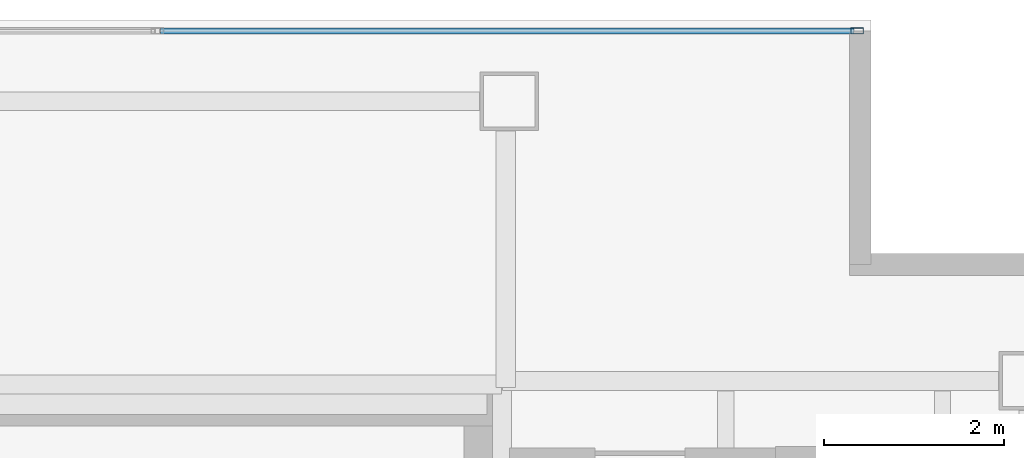
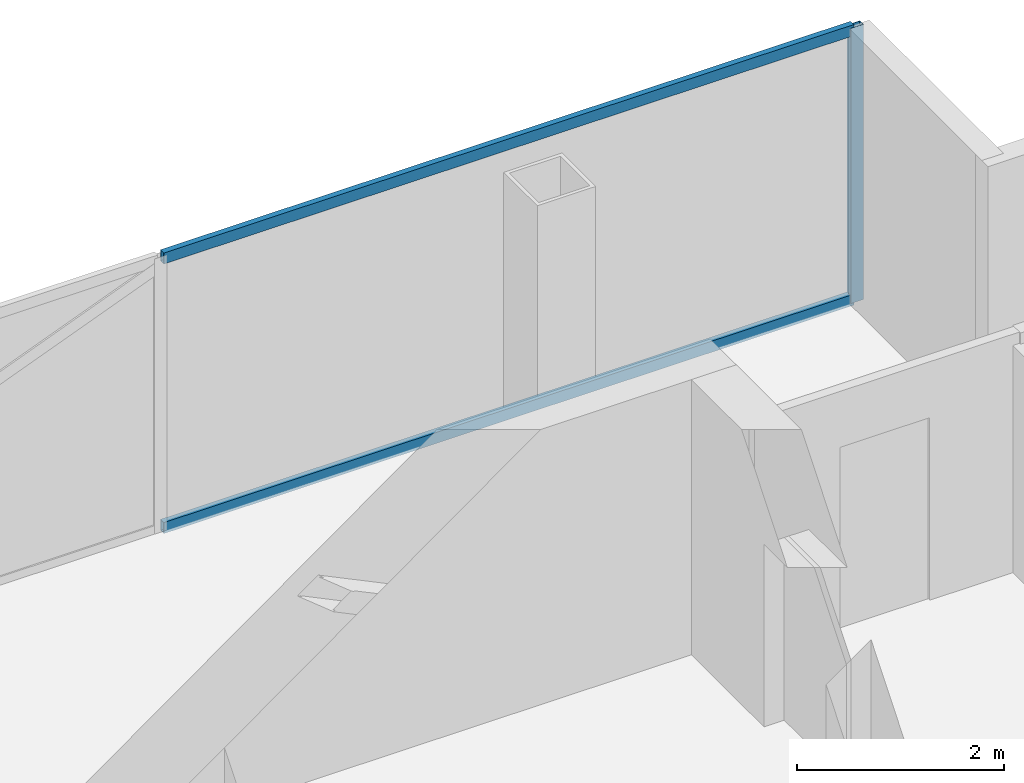
# One storey, part 18 of 23: 3 members, 1 element without a shape of its own.
"""IFC4 building model written with IfcOpenShell, lengths in metres."""

from ifc_helpers import new_model, si_unit, direction, frame, origin, origin_2d, place, context, subcontext, project, spatial, hollow_rectangle, extrude, material, material_profile, profile_set, type_object, element, aggregate, save


model = new_model("IFC4")

# Units and contexts
model_context = context("Model", 3, precision=1e-05, world=origin(), true_north=direction((0.0, 1.0)))
body_context = subcontext(model_context, "Body", "Model", "MODEL_VIEW")
ifc_project = project(units=[si_unit("LENGTHUNIT", "METRE"), si_unit("AREAUNIT", "SQUARE_METRE"), si_unit("VOLUMEUNIT", "CUBIC_METRE"), si_unit("PLANEANGLEUNIT", "RADIAN"), si_unit("MASSUNIT", "GRAM", prefix="KILO")], contexts=[model_context])

# Site, building, storey
site_placement = place(None, origin())
site = spatial("IfcSite", under=ifc_project, at=site_placement, CompositionType="ELEMENT")
building_placement = place(site_placement, origin())
building = spatial("IfcBuilding", under=site, at=building_placement, Name="Cobrela Telecom Tower", CompositionType="ELEMENT")
storey_placement = place(building_placement, frame((0.0, 0.0, 269.14990234375)))
storey = spatial("IfcBuildingStorey", under=building, at=storey_placement, Name="L70", CompositionType="ELEMENT", Elevation=269.14990234375)

# Curtain wall, members
ifc_material = material(Name="Anodized Bronze Aluminium 6063-T6", Category="aluminium")
curtain_wall_type = type_object("IfcCurtainWallType", Name="CW-SYS-OFF-HI", PredefinedType="USERDEFINED", material=ifc_material)
curtain_wall_placement = place(storey_placement, origin())
curtain_wall = element("IfcCurtainWall", 1, at=curtain_wall_placement, inside=storey, type_object=curtain_wall_type, Name="L70 Unitised Bronze Curtain Wall 05", ObjectType="UNITISED CURTAIN WALL", PredefinedType="USERDEFINED")
ifc_material_profile_1 = material_profile(ifc_material, hollow_rectangle(XDim=0.070068359375, YDim=0.139892578125, WallThickness=0.00390625, at=origin_2d()), Name="ALU 70x140x4")
ifc_profile_set_1 = profile_set([ifc_material_profile_1], Name="Anodized Bronze Aluminium 6063-T6")
member_type_1 = type_object("IfcMemberType", Name="CW-SYS-OFF-HI-MUL", PredefinedType="MULLION", material=ifc_profile_set_1)
member_1_placement = place(storey_placement, frame((18.2548828125, 39.8798828125, 0.0), z_axis=(0.0, 0.0, 1.0), x_axis=(0.0, 1.0, 0.0)))
member_1 = element("IfcMember", 2, at=member_1_placement, type_object=member_type_1, Name="CW-OFF-HI mullion 3", PredefinedType="MULLION", context=body_context, shape_type="SweptSolid", body=[
    extrude(hollow_rectangle(XDim=0.070068359375, YDim=0.139892578125, WallThickness=0.00390625, at=origin_2d()), origin(), (0.0, 0.0, 1.0), 3.239990234375),
])
ifc_material_profile_2 = material_profile(ifc_material, hollow_rectangle(XDim=0.06494140625, YDim=0.1298828125, WallThickness=0.00390625, at=origin_2d()), Name="ALU 65x130x4")
ifc_profile_set_2 = profile_set([ifc_material_profile_2], Name="Anodized Bronze Aluminium 6063-T6")
member_type_2 = type_object("IfcMemberType", Name="CW-SYS-OFF-HI-TRN", PredefinedType="USERDEFINED", material=ifc_profile_set_2)
member_2_placement = place(storey_placement, frame((10.534912109375, 39.8798828125, 0.03271484375), z_axis=(1.0, 0.0, 0.0), x_axis=(0.0, 1.0, 0.0)))
member_2 = element("IfcMember", 3, at=member_2_placement, type_object=member_type_2, Name="CW-OFF-HI transom 2.1", ObjectType="TRANSOM", PredefinedType="USERDEFINED", context=body_context, shape_type="SweptSolid", body=[
    extrude(hollow_rectangle(XDim=0.06494140625, YDim=0.1298828125, WallThickness=0.00390625, at=origin_2d()), origin(), (0.0, 0.0, 1.0), 7.68505859375),
])
member_3_placement = place(storey_placement, frame((10.534912109375, 39.8798828125, 3.20751953125), z_axis=(1.0, 0.0, 0.0), x_axis=(0.0, 1.0, 0.0)))
member_3 = element("IfcMember", 4, at=member_3_placement, type_object=member_type_2, Name="CW-OFF-HI transom 2.2", ObjectType="TRANSOM", PredefinedType="USERDEFINED", context=body_context, shape_type="SweptSolid", body=[
    extrude(hollow_rectangle(XDim=0.06494140625, YDim=0.1298828125, WallThickness=0.00390625, at=origin_2d()), origin(), (0.0, 0.0, 1.0), 7.68505859375),
])
aggregate(curtain_wall, [member_1, member_2, member_3])

save(model, "model.ifc")
